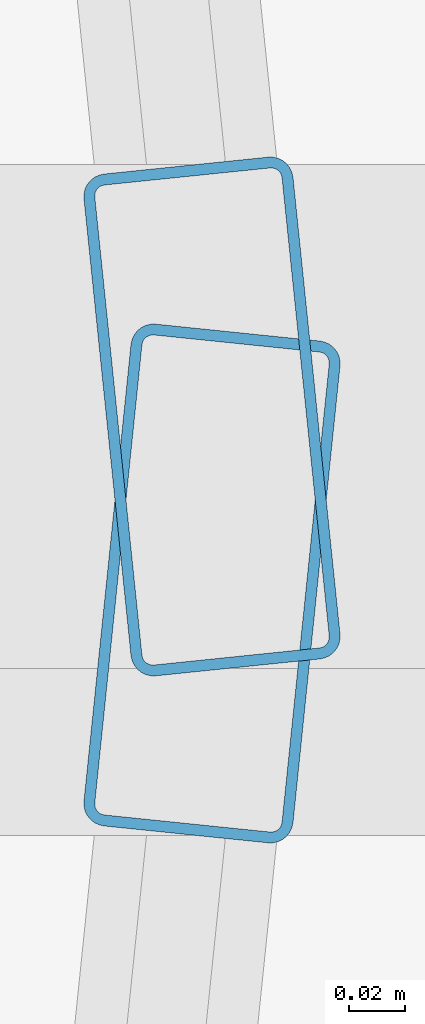
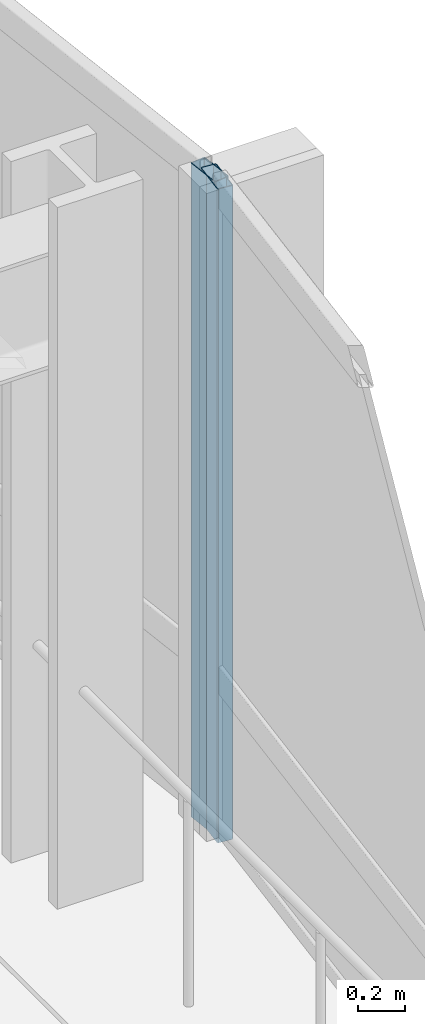
# One storey, part 25 of 34: 2 members, 2 elements without a shape of their own.
"""IFC4 building model written with IfcOpenShell, lengths in metres."""

from ifc_helpers import new_model, si_unit, direction, frame, origin, origin_2d, place, context, subcontext, project, spatial, hollow_rectangle, extrude, material, layer, layer_set, material_profile, profile_set, type_object, element, aggregate, save


model = new_model("IFC4")

# Units and contexts
model_context = context("Model", 3, precision=1e-05, world=origin(), true_north=direction((0.0, 1.0)))
body_context = subcontext(model_context, "Body", "Model", "MODEL_VIEW")
ifc_project = project(units=[si_unit("LENGTHUNIT", "METRE"), si_unit("AREAUNIT", "SQUARE_METRE"), si_unit("VOLUMEUNIT", "CUBIC_METRE"), si_unit("PLANEANGLEUNIT", "RADIAN"), si_unit("MASSUNIT", "GRAM", prefix="KILO")], contexts=[model_context])

# Site, building, storey
site_placement = place(None, origin())
site = spatial("IfcSite", under=ifc_project, at=site_placement, CompositionType="ELEMENT")
building_placement = place(site_placement, origin())
building = spatial("IfcBuilding", under=site, at=building_placement, Name="Solvaryn Broadcast Tower", CompositionType="ELEMENT")
storey_placement = place(building_placement, frame((0.0, 0.0, 76.699951171875)))
storey = spatial("IfcBuildingStorey", under=building, at=storey_placement, Name="L18", CompositionType="ELEMENT", Elevation=76.699951171875)

# Curtain wall, member
ifc_material_1 = material(Name="Aluminium and Terracotta Unitised Curtain Wall", Category="masonry")
ifc_layer = layer(ifc_material_1, 0.199951171875)
ifc_layer_set = layer_set([ifc_layer], Name="CW-SYS2-LOWMID")
curtain_wall_type = type_object("IfcCurtainWallType", Name="CW-SYS2-LOWMID", PredefinedType="NOTDEFINED", material=ifc_layer_set)
curtain_wall_1_placement = place(storey_placement, origin())
curtain_wall_1 = element("IfcCurtainWall", 1, at=curtain_wall_1_placement, inside=storey, type_object=curtain_wall_type, Name="L18 Curtain Wall ET1", PredefinedType="NOTDEFINED")
ifc_material_2 = material(Name="Anodised Aluminium 6063-T6", Category="aluminium")
ifc_material_profile = material_profile(ifc_material_2, hollow_rectangle(XDim=0.074951171875, YDim=0.179931640625, WallThickness=0.00390625, InnerFilletRadius=0.00390625, OuterFilletRadius=0.008056640625, at=origin_2d()))
ifc_profile_set = profile_set([ifc_material_profile], Name="Anodised Aluminium 6063-T6")
member_type = type_object("IfcMemberType", Name="CW-MUL-180", PredefinedType="MULLION", material=ifc_profile_set)
member_1_placement = place(storey_placement, frame((63.697021484375, 18.02978515625, 0.0), z_axis=(0.0, 0.0, 1.0), x_axis=(0.99474329889, 0.10240004548, 0.0)))
member_1 = element("IfcMember", 2, at=member_1_placement, type_object=member_type, Name="CWS2 mullion 2", PredefinedType="MULLION", context=body_context, shape_type="SweptSolid", body=[
    extrude(hollow_rectangle(XDim=0.074951171875, YDim=0.179931640625, WallThickness=0.00390625, InnerFilletRadius=0.00390625, OuterFilletRadius=0.008056640625, at=origin_2d()), origin(), (0.0, 0.0, 1.0), 3.420166015625),
])
aggregate(curtain_wall_1, [member_1])

curtain_wall_2_placement = place(storey_placement, origin())
curtain_wall_2 = element("IfcCurtainWall", 3, at=curtain_wall_2_placement, inside=storey, type_object=curtain_wall_type, Name="L18 Curtain Wall ET2", PredefinedType="NOTDEFINED")
member_2_placement = place(storey_placement, frame((63.697021484375, 17.97021484375, 0.0), z_axis=(0.0, 0.0, 1.0), x_axis=(0.99474329889, -0.10240004548, 0.0)))
member_2 = element("IfcMember", 4, at=member_2_placement, type_object=member_type, Name="CWS2 mullion 1", PredefinedType="MULLION", context=body_context, shape_type="SweptSolid", body=[
    extrude(hollow_rectangle(XDim=0.074951171875, YDim=0.179931640625, WallThickness=0.00390625, InnerFilletRadius=0.00390625, OuterFilletRadius=0.008056640625, at=origin_2d()), origin(), (0.0, 0.0, 1.0), 3.420166015625),
])
aggregate(curtain_wall_2, [member_2])

save(model, "model.ifc")
